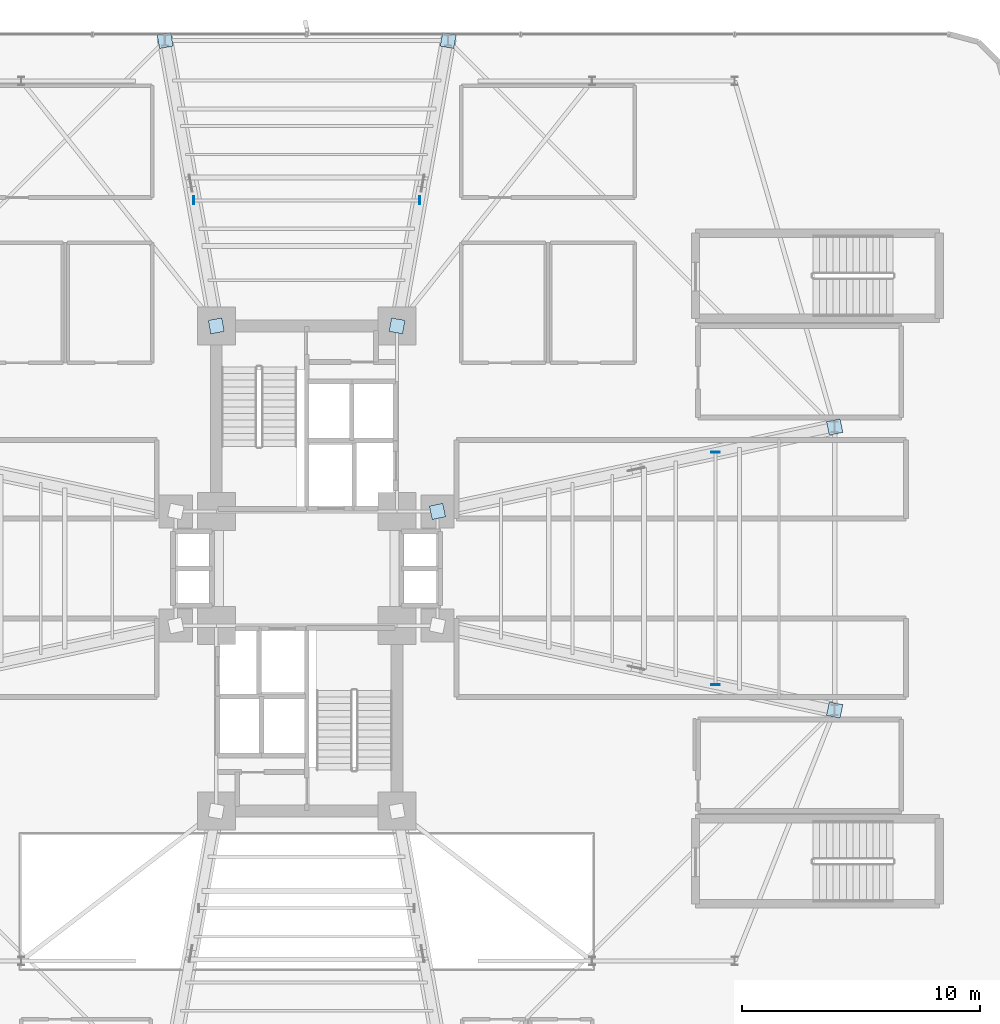
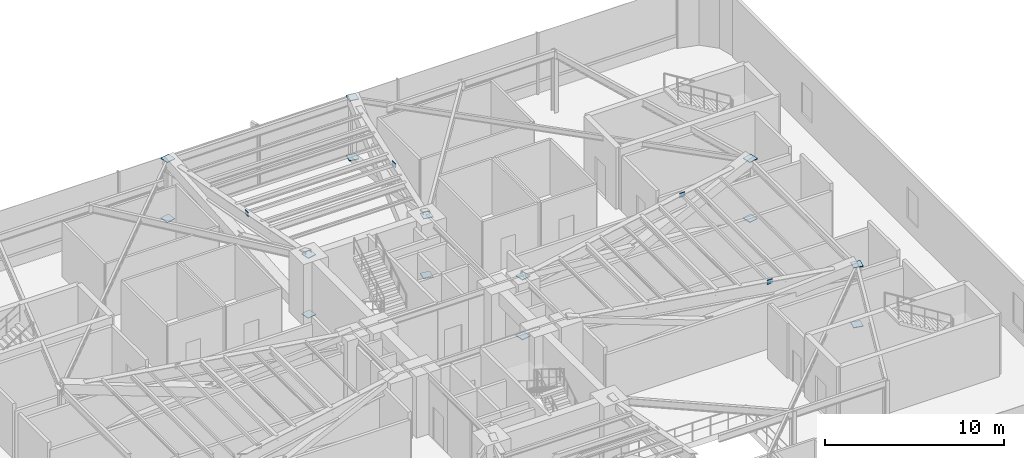
# One storey, part 23 of 32: 18 plates.
"""IFC4 building model written with IfcOpenShell, lengths in metres."""

from ifc_helpers import new_model, si_unit, direction, frame, origin, origin_2d, place, context, subcontext, project, spatial, rectangle, extrude, source, transform, mapped, material, type_object, element, save


model = new_model("IFC4")

# Units and contexts
model_context = context("Model", 3, precision=1e-05, world=origin(), true_north=direction((0.0, 1.0)))
body_context = subcontext(model_context, "Body", "Model", "MODEL_VIEW")
ifc_project = project(units=[si_unit("LENGTHUNIT", "METRE"), si_unit("AREAUNIT", "SQUARE_METRE"), si_unit("VOLUMEUNIT", "CUBIC_METRE"), si_unit("PLANEANGLEUNIT", "RADIAN"), si_unit("MASSUNIT", "GRAM", prefix="KILO")], contexts=[model_context])

# Site, building, storey
site_placement = place(None, origin())
site = spatial("IfcSite", under=ifc_project, at=site_placement, CompositionType="ELEMENT")
building_placement = place(site_placement, origin())
building = spatial("IfcBuilding", under=site, at=building_placement, Name="Sahyath Konkavel Grand Hotel", CompositionType="ELEMENT")
storey_placement = place(building_placement, frame((0.0, 0.0, 14.10009765625)))
storey = spatial("IfcBuildingStorey", under=building, at=storey_placement, Name="L03", CompositionType="ELEMENT", Elevation=14.10009765625)

# Plates
ifc_material = material(Name="Steel E450", Category="steel")
plate_type = type_object("IfcPlateType", Name="GUSSET-END-35", PredefinedType="USERDEFINED", material=ifc_material)
shared_shape_1 = source(origin(), body_context, "Body", "SweptSolid", [
    extrude(rectangle(XDim=0.580078125, YDim=0.580078125, at=origin_2d()), origin(), (0.0, 0.0, 1.0), 0.044921875),
])
for number, where, z_axis, x_axis, name in (
    (1, (22.199951171875, -5.949951171875, 0.02734375), (0.0, 0.0, 1.0), (0.978143971841, -0.207928762682, 0.0), "L03 Ballroom Steel Transfer Truss EA Cast-In Embed Gusset Plate BR"),
    (2, (22.199951171875, -5.949951171875, 4.107421875), (0.0, 0.0, 1.0), (0.978143971841, -0.207928762682, 0.0), "L03 Ballroom Steel Transfer Truss EA Cast-In Embed Gusset Plate TR"),
    (3, (5.5, 2.39990234375, 0.02734375), (0.0, 0.0, 1.0), (0.978143971841, 0.207928762682, 0.0), "L03 Ballroom Steel Transfer Truss EB Cast-In Embed Gusset Plate BL"),
    (4, (5.5, 2.39990234375, 4.107421875), (0.0, 0.0, 1.0), (0.978143971841, 0.207928762682, 0.0), "L03 Ballroom Steel Transfer Truss EB Cast-In Embed Gusset Plate TL"),
    (5, (22.199951171875, 5.949951171875, 0.02734375), (0.0, 0.0, 1.0), (0.978143971841, 0.207928762682, 0.0), "L03 Ballroom Steel Transfer Truss EB Cast-In Embed Gusset Plate BR"),
    (6, (22.199951171875, 5.949951171875, 4.107421875), (0.0, 0.0, 1.0), (0.978143971841, 0.207928762682, 0.0), "L03 Ballroom Steel Transfer Truss EB Cast-In Embed Gusset Plate TR"),
    (7, (3.800048828125, 10.199951171875, 0.02734375), (0.0, 0.0, 1.0), (0.176363239745, 0.984325153426, 0.0), "L03 Ballroom Steel Transfer Truss NA Cast-In Embed Gusset Plate BL"),
    (8, (3.800048828125, 10.199951171875, 4.107421875), (0.0, 0.0, 1.0), (0.176363239745, 0.984325153426, 0.0), "L03 Ballroom Steel Transfer Truss NA Cast-In Embed Gusset Plate TL"),
    (9, (5.949951171875, 22.199951171875, 0.02734375), (0.0, 0.0, 1.0), (0.176363239745, 0.984325153426, 0.0), "L03 Ballroom Steel Transfer Truss NA Cast-In Embed Gusset Plate BR"),
    (10, (5.949951171875, 22.199951171875, 4.107421875), (0.0, 0.0, 1.0), (0.176363239745, 0.984325153426, 0.0), "L03 Ballroom Steel Transfer Truss NA Cast-In Embed Gusset Plate TR"),
    (11, (-3.800048828125, 10.199951171875, 0.02734375), (0.0, 0.0, 1.0), (-0.176363239745, 0.984325153426, 0.0), "L03 Ballroom Steel Transfer Truss NB Cast-In Embed Gusset Plate BL"),
    (12, (-3.800048828125, 10.199951171875, 4.107421875), (0.0, 0.0, 1.0), (-0.176363239745, 0.984325153426, 0.0), "L03 Ballroom Steel Transfer Truss NB Cast-In Embed Gusset Plate TL"),
    (13, (-5.949951171875, 22.199951171875, 0.02734375), (0.0, 0.0, 1.0), (-0.176363239745, 0.984325153426, 0.0), "L03 Ballroom Steel Transfer Truss NB Cast-In Embed Gusset Plate BR"),
    (14, (-5.949951171875, 22.199951171875, 4.107421875), (0.0, 0.0, 1.0), (-0.176363239745, 0.984325153426, 0.0), "L03 Ballroom Steel Transfer Truss NB Cast-In Embed Gusset Plate TR"),
):
    element("IfcPlate", number, at=place(storey_placement, frame(where, z_axis=z_axis, x_axis=x_axis)), inside=storey, type_object=plate_type, Name=name, ObjectType="GUSSET_PLATE", PredefinedType="USERDEFINED", context=body_context, shape_type="MappedRepresentation", body=[
        mapped(shared_shape_1, transform((0.0, 0.0, 0.0), scale=1.0)),
    ])
shared_shape_2 = source(origin(), body_context, "Body", "SweptSolid", [
    extrude(rectangle(XDim=0.0400390625, YDim=0.340087890625, at=origin_2d()), origin(), (0.0, 0.0, 1.0), 0.300048828125),
])
for number, where, z_axis, x_axis, name in (
    (15, (17.18994140625, -4.885009765625, 3.919921875), (0.0, 0.0, 1.0), (0.0, 1.0, 0.0), "L03 Sub-Beam E-5 End Cap A"),
    (16, (17.18994140625, 4.885009765625, 3.919921875), (0.0, 0.0, 1.0), (0.0, 1.0, 0.0), "L03 Sub-Beam E-5 End Cap B"),
    (17, (4.74609375, 15.47998046875, 3.919921875), (0.0, 0.0, 1.0), (-1.0, 0.0, 0.0), "L03 Sub-Beam N-3 End Cap A"),
    (18, (-4.74609375, 15.47998046875, 3.919921875), (0.0, 0.0, 1.0), (-1.0, 0.0, 0.0), "L03 Sub-Beam N-3 End Cap B"),
):
    element("IfcPlate", number, at=place(storey_placement, frame(where, z_axis=z_axis, x_axis=x_axis)), inside=storey, type_object=plate_type, Name=name, ObjectType="GUSSET_PLATE", PredefinedType="USERDEFINED", context=body_context, shape_type="MappedRepresentation", body=[
        mapped(shared_shape_2, transform((0.0, 0.0, 0.0), scale=1.0)),
    ])

save(model, "model.ifc")
